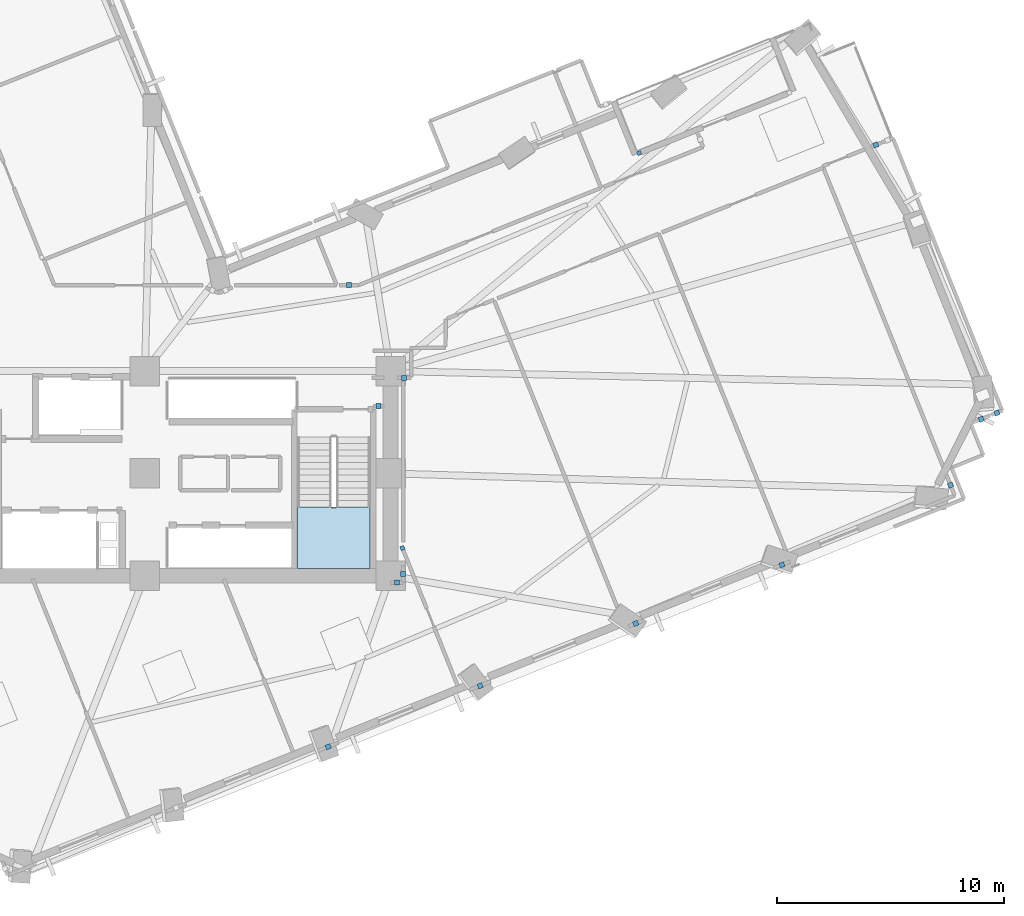
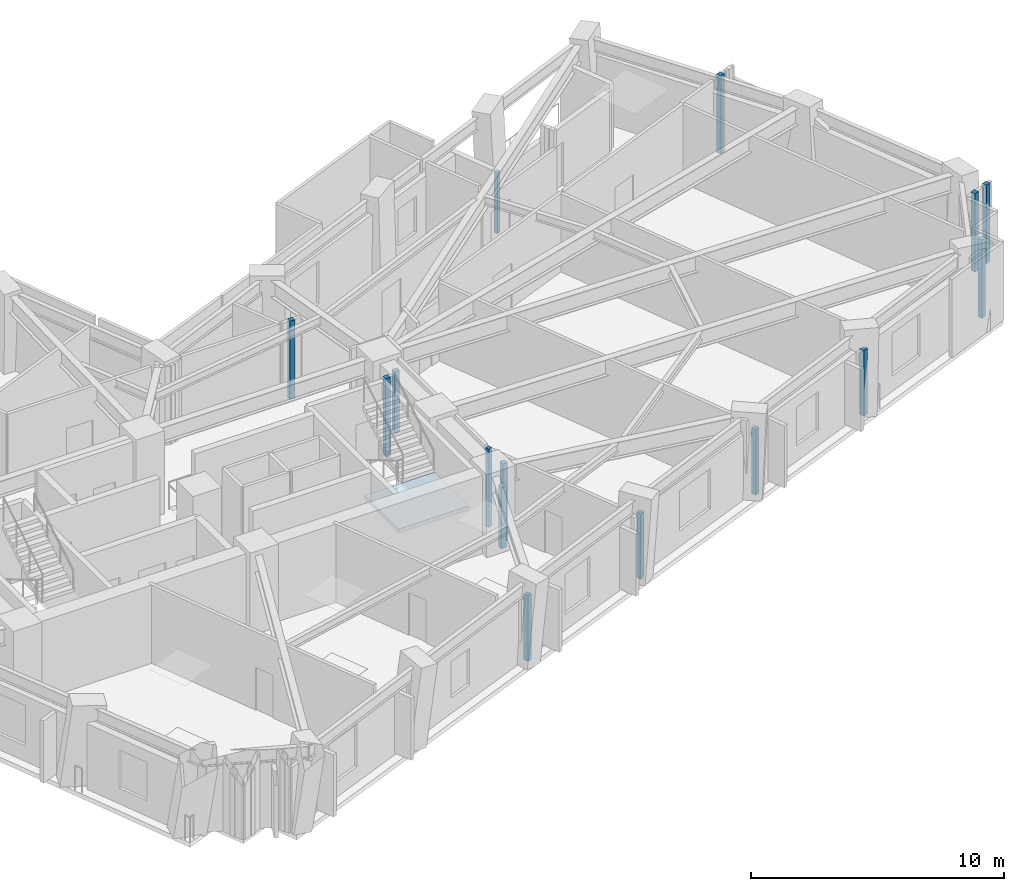
# One storey, part 5 of 16: 15 plates, 1 slab, 1 element without a shape of its own.
"""IFC4 building model written with IfcOpenShell, lengths in metres."""

from ifc_helpers import new_model, si_unit, direction, frame, origin, origin_2d, place, context, subcontext, project, spatial, polyline, rectangle, outline, extrude, material, layer, layer_set, type_object, element, aggregate, save


model = new_model("IFC4")

# Units and contexts
model_context = context("Model", 3, precision=1e-05, world=origin(), true_north=direction((0.0, 1.0)))
body_context = subcontext(model_context, "Body", "Model", "MODEL_VIEW")
ifc_project = project(units=[si_unit("LENGTHUNIT", "METRE"), si_unit("AREAUNIT", "SQUARE_METRE"), si_unit("VOLUMEUNIT", "CUBIC_METRE"), si_unit("PLANEANGLEUNIT", "RADIAN"), si_unit("MASSUNIT", "GRAM", prefix="KILO")], contexts=[model_context])

# Site, building, storey
site_placement = place(None, origin())
site = spatial("IfcSite", under=ifc_project, at=site_placement, CompositionType="ELEMENT")
building_placement = place(site_placement, origin())
building = spatial("IfcBuilding", under=site, at=building_placement, Name="Gaonmaruhae Medical Tower", CompositionType="ELEMENT")
storey_placement = place(building_placement, frame((0.0, 0.0, 116.39990234375)))
storey = spatial("IfcBuildingStorey", under=building, at=storey_placement, Name="L27", CompositionType="ELEMENT", Elevation=116.39990234375)

# Plates
ifc_material_1 = material(Name="Anodised aluminium 6063-T6", Category="aluminium")
ifc_layer_1 = layer(ifc_material_1, 0.011962890625)
ifc_layer_set_1 = layer_set([ifc_layer_1], Name="Anodised aluminium 6063-T6")
plate_type = type_object("IfcPlateType", Name="PP-01 Interior Partition Corner Stiffener Plate", PredefinedType="SHEET", material=ifc_layer_set_1)
plate_1_placement = place(storey_placement, frame((46.528564453125, 26.385498046875, 0.0), z_axis=(0.0, 0.0, 1.0), x_axis=(0.928161393808, 0.372177950778, 0.0)))
element("IfcPlate", 1, at=plate_1_placement, inside=storey, type_object=plate_type, Name="L27 Partition End Jamb Post Plate PLT-L27-ENDP-TERB-0", PredefinedType="SHEET", context=body_context, shape_type="SweptSolid", body=[
    extrude(rectangle(XDim=0.179931640625, YDim=0.179931640625, at=origin_2d()), origin(), (0.0, 0.0, 1.0), 2.945068359375),
])
plate_2_placement = place(storey_placement, frame((36.1201171875, 9.017333984375, 0.0), z_axis=(0.0, 0.0, 1.0), x_axis=(0.372194150193, -0.928154897936, 0.0)))
element("IfcPlate", 2, at=plate_2_placement, inside=storey, type_object=plate_type, Name="L27 Partition End Jamb Post Plate PLT-L27-ENDP-PW017-0", PredefinedType="SHEET", context=body_context, shape_type="SweptSolid", body=[
    extrude(rectangle(XDim=0.179931640625, YDim=0.179931640625, at=origin_2d()), origin(), (0.0, 0.0, 1.0), 3.780029296875),
])
plate_3_placement = place(storey_placement, frame((32.8564453125, 0.281982421875, 0.0), z_axis=(0.0, 0.0, 1.0), x_axis=(-0.928336675472, -0.371740523718, 0.0)))
element("IfcPlate", 3, at=plate_3_placement, inside=storey, type_object=plate_type, Name="L27 Partition Corner Stiffener Plate PLT-L27-JGP-PW018", PredefinedType="SHEET", context=body_context, shape_type="SweptSolid", body=[
    extrude(rectangle(XDim=0.219970703125, YDim=0.219970703125, at=origin_2d()), origin(), (0.0, 0.0, 1.0), 3.1650390625),
])
plate_4_placement = place(storey_placement, frame((35.875, 7.5, 0.0), z_axis=(0.0, 0.0, 1.0), x_axis=(1.0, 0.0, 0.0)))
element("IfcPlate", 4, at=plate_4_placement, inside=storey, type_object=plate_type, Name="L27 Partition Corner Stiffener Plate PLT-L27-JGP-PW019", PredefinedType="SHEET", context=body_context, shape_type="SweptSolid", body=[
    extrude(rectangle(XDim=0.219970703125, YDim=0.219970703125, at=origin_2d()), origin(), (0.0, 0.0, 1.0), 2.965087890625),
])
plate_5_placement = place(storey_placement, frame((36.14990234375, 7.8720703125, 0.0), z_axis=(0.0, 0.0, 1.0), x_axis=(0.0, 1.0, 0.0)))
element("IfcPlate", 5, at=plate_5_placement, inside=storey, type_object=plate_type, Name="L27 Partition Corner Stiffener Plate PLT-L27-JGP-PW020", PredefinedType="SHEET", context=body_context, shape_type="SweptSolid", body=[
    extrude(rectangle(XDim=0.219970703125, YDim=0.219970703125, at=origin_2d()), origin(), (0.0, 0.0, 1.0), 3.780029296875),
])
plate_6_placement = place(storey_placement, frame((36.199951171875, 16.5, 0.0), z_axis=(0.0, 0.0, 1.0), x_axis=(1.0, 0.0, 0.0)))
element("IfcPlate", 6, at=plate_6_placement, inside=storey, type_object=plate_type, Name="L27 Partition Corner Stiffener Plate PLT-L27-JGP-PW022", PredefinedType="SHEET", context=body_context, shape_type="SweptSolid", body=[
    extrude(rectangle(XDim=0.219970703125, YDim=0.219970703125, at=origin_2d()), origin(), (0.0, 0.0, 1.0), 2.965087890625),
])
plate_7_placement = place(storey_placement, frame((39.5390625, 2.96142578125, 0.0), z_axis=(0.0, 0.0, 1.0), x_axis=(-0.92812891162, -0.372258946722, 0.0)))
element("IfcPlate", 7, at=plate_7_placement, inside=storey, type_object=plate_type, Name="L27 Partition Corner Stiffener Plate PLT-L27-JGP-PW029", PredefinedType="SHEET", context=body_context, shape_type="SweptSolid", body=[
    extrude(rectangle(XDim=0.219970703125, YDim=0.219970703125, at=origin_2d()), origin(), (0.0, 0.0, 1.0), 3.1650390625),
])
plate_8_placement = place(storey_placement, frame((35.074951171875, 15.260009765625, 0.0), z_axis=(0.0, 0.0, 1.0), x_axis=(-1.0, 0.0, 0.0)))
element("IfcPlate", 8, at=plate_8_placement, inside=storey, type_object=plate_type, Name="L27 Partition Corner Stiffener Plate PLT-L27-JGP-PW031", PredefinedType="SHEET", context=body_context, shape_type="SweptSolid", body=[
    extrude(rectangle(XDim=0.219970703125, YDim=0.219970703125, at=origin_2d()), origin(), (0.0, 0.0, 1.0), 3.780029296875),
])
for number, where, z_axis, x_axis, name in (
    (9, (52.80859375, 8.281982421875, 0.0), (0.0, 0.0, 1.0), (-0.928115916766, -0.372291344306, 0.0), "L27 Partition Corner Stiffener Plate PLT-L27-JGP-PW034"),
    (10, (46.37744140625, 5.70361328125, 0.0), (0.0, 0.0, 1.0), (-0.928369112417, -0.371659509644, 0.0), "L27 Partition Corner Stiffener Plate PLT-L27-JGP-PW035"),
):
    element("IfcPlate", number, at=place(storey_placement, frame(where, z_axis=z_axis, x_axis=x_axis)), inside=storey, type_object=plate_type, Name=name, PredefinedType="SHEET", context=body_context, shape_type="SweptSolid", body=[
        extrude(rectangle(XDim=0.219970703125, YDim=0.219970703125, at=origin_2d()), origin(), (0.0, 0.0, 1.0), 3.1650390625),
    ])
for number, where, z_axis, x_axis, name in (
    (11, (60.219970703125, 11.78759765625, 0.0), (0.0, 0.0, 1.0), (0.371740523718, -0.928336675472, 0.0), "L27 Partition Corner Stiffener Plate PLT-L27-JGP-PW038"),
    (12, (33.780517578125, 20.580078125, 0.0), (0.0, 0.0, 1.0), (-1.0, 0.0, 0.0), "L27 Partition Corner Stiffener Plate PLT-L27-JGP-PW079"),
    (13, (61.573486328125, 14.6845703125, 0.0), (0.0, 0.0, 1.0), (-0.928232829739, -0.371999749725, 0.0), "L27 Partition Corner Stiffener Plate PLT-L27-JGP-PW102"),
    (14, (56.93408203125, 26.743896484375, 0.0), (0.0, 0.0, 1.0), (0.928187374468, 0.372113151982, 0.0), "L27 Partition Corner Stiffener Plate PLT-L27-JGP-PW108"),
    (15, (62.260986328125, 14.9599609375, 0.0), (0.0, 0.0, 1.0), (-0.927679935748, -0.373376400983, 0.0), "L27 Partition Corner Stiffener Plate PLT-L27-JGP-PW111"),
):
    element("IfcPlate", number, at=place(storey_placement, frame(where, z_axis=z_axis, x_axis=x_axis)), inside=storey, type_object=plate_type, Name=name, PredefinedType="SHEET", context=body_context, shape_type="SweptSolid", body=[
        extrude(rectangle(XDim=0.219970703125, YDim=0.219970703125, at=origin_2d()), origin(), (0.0, 0.0, 1.0), 3.780029296875),
    ])

# Stair, slab
ifc_material_2 = material(Name="Concrete C40/50", Category="concrete")
stair_type = type_object("IfcStairType", Name="ST-T1 Primary Core Escape Dogleg Stair", PredefinedType="TWO_QUARTER_TURN_STAIR", material=ifc_material_2)
stair_placement = place(storey_placement, origin())
stair = element("IfcStair", 16, at=stair_placement, inside=storey, type_object=stair_type, Name="L27 Protected Escape Stair ST-02", PredefinedType="TWO_QUARTER_TURN_STAIR")
ifc_layer_2 = layer(ifc_material_2, 0.199951171875)
ifc_layer_set_2 = layer_set([ifc_layer_2], Name="Concrete C40/50")
slab_type = type_object("IfcSlabType", Name="SL-200 Stair & Ramp Intermediate Concrete Landing", PredefinedType="LANDING", material=ifc_layer_set_2)
slab_placement = place(storey_placement, frame((0.0, 0.0, 1.800048828125)))
slab = element("IfcSlab", 17, at=slab_placement, type_object=slab_type, Name="ST-02 landing 1", PredefinedType="LANDING", context=body_context, shape_type="SweptSolid", body=[
    extrude(outline(polyline([(31.5, 10.820068359375), (31.5, 8.12890625), (34.699951171875, 8.12890625), (34.699951171875, 10.820068359375), (31.5, 10.820068359375)])), origin(), (0.0, 0.0, 1.0), 0.199951171875),
])
aggregate(stair, [slab])

save(model, "model.ifc")
